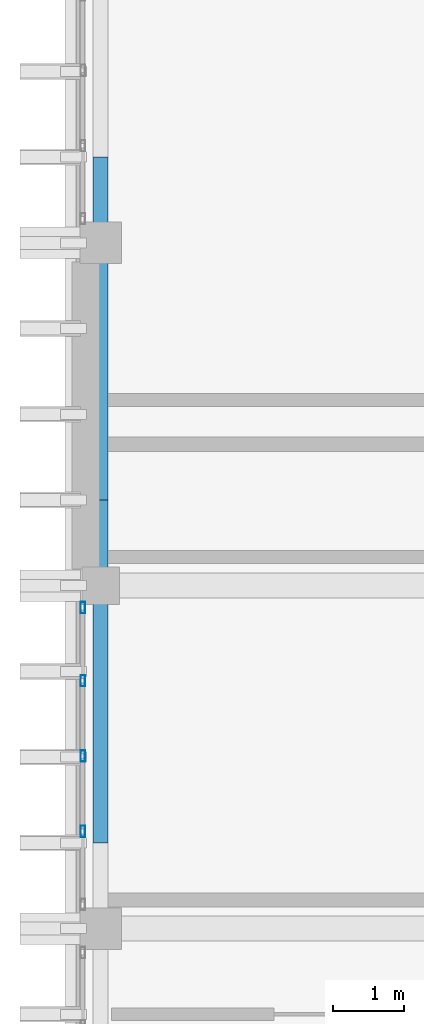
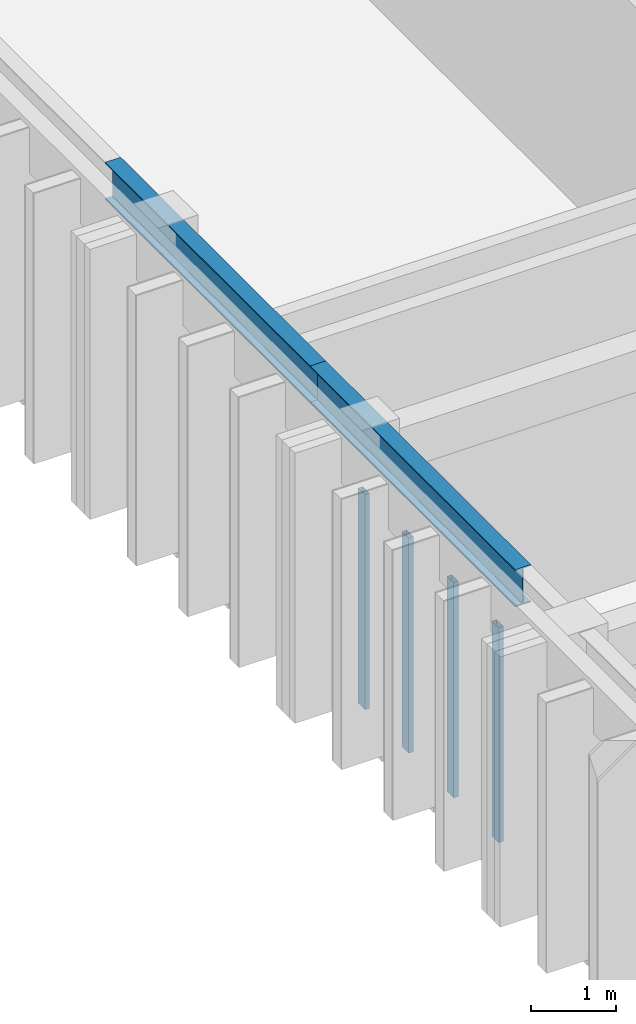
# One storey, part 19 of 49: 4 members, 2 beams, 1 element without a shape of its own.
"""IFC4 building model written with IfcOpenShell, lengths in metres."""

from ifc_helpers import new_model, si_unit, direction, frame, origin, origin_2d, place, context, subcontext, project, spatial, hollow_rectangle, i_section, extrude, material, layer, layer_set, material_profile, profile_set, type_object, element, aggregate, save


model = new_model("IFC4")

# Units and contexts
model_context = context("Model", 3, precision=1e-05, world=origin(), true_north=direction((0.0, 1.0)))
body_context = subcontext(model_context, "Body", "Model", "MODEL_VIEW")
ifc_project = project(units=[si_unit("LENGTHUNIT", "METRE"), si_unit("AREAUNIT", "SQUARE_METRE"), si_unit("VOLUMEUNIT", "CUBIC_METRE"), si_unit("PLANEANGLEUNIT", "RADIAN"), si_unit("MASSUNIT", "GRAM", prefix="KILO")], contexts=[model_context])

# Site, building, storey
site_placement = place(None, origin())
site = spatial("IfcSite", under=ifc_project, at=site_placement, CompositionType="ELEMENT")
building_placement = place(site_placement, origin())
building = spatial("IfcBuilding", under=site, at=building_placement, Name="Nakhvara Creek Congress Hotel", CompositionType="ELEMENT")
storey_placement = place(building_placement, frame((0.0, 0.0, 46.5)))
storey = spatial("IfcBuildingStorey", under=building, at=storey_placement, Name="L11", CompositionType="ELEMENT", Elevation=46.5)

# Beams
ifc_material_1 = material(Name="Steel S355J2", Category="steel")
ifc_material_profile_1 = material_profile(ifc_material_1, i_section(OverallWidth=0.209228515625, OverallDepth=0.533203125, WebThickness=0.010009765625, FlangeThickness=0.015625, FilletRadius=0.0126953125, at=origin_2d()), Name="UB 533x210x92", Category="LoadBearing")
ifc_profile_set_1 = profile_set([ifc_material_profile_1], Name="Steel S355J2")
beam_type = type_object("IfcBeamType", Name="BM-ST-UB533", PredefinedType="BEAM", material=ifc_profile_set_1)
for number, where, z_axis, x_axis, name in (
    (1, (149.449951171875, 97.199951171875, 3.6201171875), (0.0, 1.0, 0.0), (-1.0, 0.0, 0.0), "Hotel Gable Eave Beam W-06"),
    (2, (149.449951171875, 102.0, 3.6201171875), (0.0, 1.0, 0.0), (-1.0, 0.0, 0.0), "Hotel Gable Eave Beam W-07"),
):
    element("IfcBeam", number, at=place(storey_placement, frame(where, z_axis=z_axis, x_axis=x_axis)), inside=storey, type_object=beam_type, Name=name, PredefinedType="BEAM", context=body_context, shape_type="SweptSolid", body=[
        extrude(i_section(OverallWidth=0.209228515625, OverallDepth=0.533203125, WebThickness=0.010009765625, FlangeThickness=0.015625, FilletRadius=0.0126953125, at=origin_2d()), origin(), (0.0, 0.0, 1.0), 4.800048828125),
    ])

# Curtain wall, members
ifc_material_2 = material(Name="Bronze-anodised aluminium AW-6063-T6 and double-silver low-E glass", Category="aluminium")
ifc_layer = layer(ifc_material_2, 0.199951171875)
ifc_layer_set = layer_set([ifc_layer], Name="Bronze-anodised aluminium AW-6063-T6 and double-silver low-E glass")
curtain_wall_type = type_object("IfcCurtainWallType", Name="CW-HTL-UNIT", PredefinedType="USERDEFINED", material=ifc_layer_set)
curtain_wall_placement = place(storey_placement, origin())
curtain_wall = element("IfcCurtainWall", 3, at=curtain_wall_placement, inside=storey, type_object=curtain_wall_type, Name="Curtain Wall CW341", ObjectType="UNITISED", PredefinedType="USERDEFINED")
ifc_material_3 = material(Name="Bronze-anodised aluminium AW-6063-T6", Category="aluminium")
ifc_material_profile_2 = material_profile(ifc_material_3, hollow_rectangle(XDim=0.06494140625, YDim=0.159912109375, WallThickness=0.00390625, at=origin_2d()), Name="ALU-MULL 65x160x4", Category="LoadBearing")
ifc_profile_set_2 = profile_set([ifc_material_profile_2], Name="Bronze-anodised aluminium AW-6063-T6")
member_type = type_object("IfcMemberType", Name="CW-MULL-160", PredefinedType="MULLION", material=ifc_profile_set_2)
member_1_placement = place(storey_placement, frame((149.199951171875, 97.360107421875, 0.0), z_axis=(0.0, 0.0, 1.0), x_axis=(-1.0, 0.0, 0.0)))
member_1 = element("IfcMember", 4, at=member_1_placement, type_object=member_type, Name="CW341 mullion 2", PredefinedType="MULLION", context=body_context, shape_type="SweptSolid", body=[
    extrude(hollow_rectangle(XDim=0.06494140625, YDim=0.159912109375, WallThickness=0.00390625, at=origin_2d()), origin(), (0.0, 0.0, 1.0), 3.072021484375),
])
member_2_placement = place(storey_placement, frame((149.199951171875, 98.4150390625, 0.0), z_axis=(0.0, 0.0, 1.0), x_axis=(-1.0, 0.0, 0.0)))
member_2 = element("IfcMember", 5, at=member_2_placement, type_object=member_type, Name="CW341 mullion 3", PredefinedType="MULLION", context=body_context, shape_type="SweptSolid", body=[
    extrude(hollow_rectangle(XDim=0.06494140625, YDim=0.159912109375, WallThickness=0.00390625, at=origin_2d()), origin(), (0.0, 0.0, 1.0), 3.072021484375),
])
member_3_placement = place(storey_placement, frame((149.199951171875, 99.469970703125, 0.0), z_axis=(0.0, 0.0, 1.0), x_axis=(-1.0, 0.0, 0.0)))
member_3 = element("IfcMember", 6, at=member_3_placement, type_object=member_type, Name="CW341 mullion 4", PredefinedType="MULLION", context=body_context, shape_type="SweptSolid", body=[
    extrude(hollow_rectangle(XDim=0.06494140625, YDim=0.159912109375, WallThickness=0.00390625, at=origin_2d()), origin(), (0.0, 0.0, 1.0), 3.072021484375),
])
member_4_placement = place(storey_placement, frame((149.199951171875, 100.492431640625, 0.0), z_axis=(0.0, 0.0, 1.0), x_axis=(-1.0, 0.0, 0.0)))
member_4 = element("IfcMember", 7, at=member_4_placement, type_object=member_type, Name="CW341 mullion 5", PredefinedType="MULLION", context=body_context, shape_type="SweptSolid", body=[
    extrude(hollow_rectangle(XDim=0.06494140625, YDim=0.159912109375, WallThickness=0.00390625, at=origin_2d()), origin(), (0.0, 0.0, 1.0), 3.072021484375),
])
aggregate(curtain_wall, [member_1, member_2, member_3, member_4])

save(model, "model.ifc")
